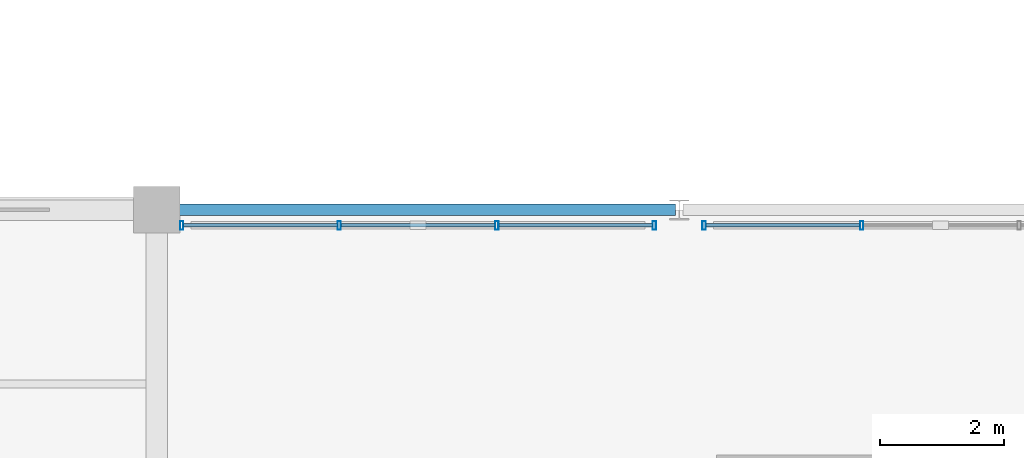
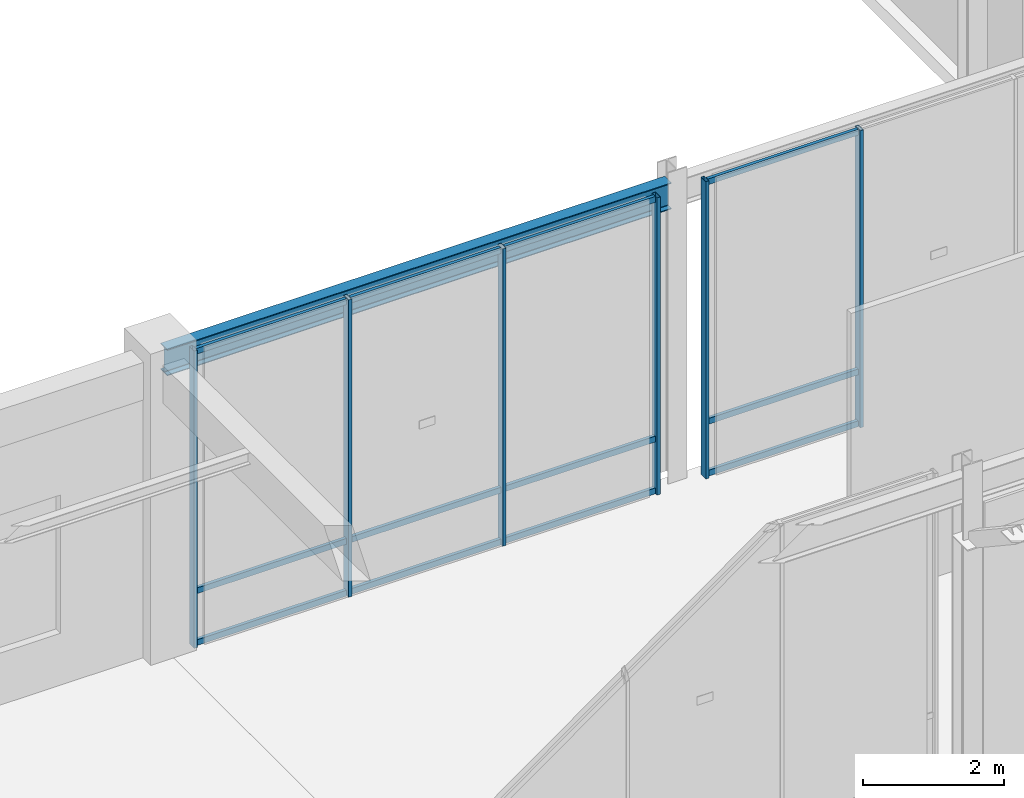
# One storey, part 26 of 157: 18 members, 1 beam, 2 elements without a shape of their own.
"""IFC4 building model written with IfcOpenShell, lengths in metres."""

from ifc_helpers import new_model, si_unit, direction, frame, origin, origin_2d, place, context, subcontext, project, spatial, hollow_rectangle, i_section, extrude, material, material_profile, profile_set, type_object, element, aggregate, save


model = new_model("IFC4")

# Units and contexts
model_context = context("Model", 3, precision=1e-05, world=origin(), true_north=direction((0.0, 1.0)))
body_context = subcontext(model_context, "Body", "Model", "MODEL_VIEW")
ifc_project = project(units=[si_unit("LENGTHUNIT", "METRE"), si_unit("AREAUNIT", "SQUARE_METRE"), si_unit("VOLUMEUNIT", "CUBIC_METRE"), si_unit("PLANEANGLEUNIT", "RADIAN"), si_unit("MASSUNIT", "GRAM", prefix="KILO"), si_unit("THERMODYNAMICTEMPERATUREUNIT", "KELVIN"), si_unit("POWERUNIT", "WATT")], contexts=[model_context])

# Site, building, storey
site_placement = place(None, origin())
site = spatial("IfcSite", under=ifc_project, at=site_placement, CompositionType="ELEMENT")
building_placement = place(site_placement, origin())
building = spatial("IfcBuilding", under=site, at=building_placement, Name="Darbajah Civic Hall", CompositionType="ELEMENT")
storey_placement = place(building_placement, origin())
storey = spatial("IfcBuildingStorey", under=building, at=storey_placement, Name="L00", CompositionType="ELEMENT", Elevation=0.0)

# Curtain wall, members
ifc_material_1 = material(Name="Anodised Bronze Aluminium and Low-E Glazing", Category="aluminium")
curtain_wall_type = type_object("IfcCurtainWallType", Name="Unitised Curtain Wall CW-101 7600x5150", PredefinedType="USERDEFINED", material=ifc_material_1)
curtain_wall_1_placement = place(storey_placement, origin())
curtain_wall_1 = element("IfcCurtainWall", 1, at=curtain_wall_1_placement, inside=storey, type_object=curtain_wall_type, Name="L00 unitised curtain wall CW-V6-SW-N-L00", ObjectType="UNITISED CURTAIN WALL", PredefinedType="USERDEFINED")
ifc_material_2 = material(Name="Anodised Bronze Aluminium", Category="aluminium")
ifc_material_profile_1 = material_profile(ifc_material_2, hollow_rectangle(XDim=0.054931640625, YDim=0.139892578125, WallThickness=0.003173828125, at=origin_2d()), Name="ALU MULLION 55x140")
ifc_profile_set_1 = profile_set([ifc_material_profile_1], Name="Anodised Bronze Aluminium")
member_type_1 = type_object("IfcMemberType", Name="ALU MULLION 55x140", PredefinedType="MULLION", material=ifc_profile_set_1)
member_1_placement = place(storey_placement, frame((67.60009765625, 41.75, 0.0), z_axis=(0.0, 0.0, 1.0), x_axis=(1.0, 0.0, 0.0)))
member_1 = element("IfcMember", 2, at=member_1_placement, type_object=member_type_1, Name="CW-V6-SW-N-L00 mullion 1", PredefinedType="MULLION", context=body_context, shape_type="SweptSolid", body=[
    extrude(hollow_rectangle(XDim=0.054931640625, YDim=0.139892578125, WallThickness=0.003173828125, at=origin_2d()), origin(), (0.0, 0.0, 1.0), 5.159912109375),
])
member_2_placement = place(storey_placement, frame((70.13330078125, 41.75, 0.0), z_axis=(0.0, 0.0, 1.0), x_axis=(1.0, 0.0, 0.0)))
member_2 = element("IfcMember", 3, at=member_2_placement, type_object=member_type_1, Name="CW-V6-SW-N-L00 mullion 2", PredefinedType="MULLION", context=body_context, shape_type="SweptSolid", body=[
    extrude(hollow_rectangle(XDim=0.054931640625, YDim=0.139892578125, WallThickness=0.003173828125, at=origin_2d()), origin(), (0.0, 0.0, 1.0), 5.159912109375),
])
member_3_placement = place(storey_placement, frame((72.666748046875, 41.75, 0.0), z_axis=(0.0, 0.0, 1.0), x_axis=(1.0, 0.0, 0.0)))
member_3 = element("IfcMember", 4, at=member_3_placement, type_object=member_type_1, Name="CW-V6-SW-N-L00 mullion 3", PredefinedType="MULLION", context=body_context, shape_type="SweptSolid", body=[
    extrude(hollow_rectangle(XDim=0.054931640625, YDim=0.139892578125, WallThickness=0.003173828125, at=origin_2d()), origin(), (0.0, 0.0, 1.0), 5.159912109375),
])
member_4_placement = place(storey_placement, frame((75.199951171875, 41.75, 0.0), z_axis=(0.0, 0.0, 1.0), x_axis=(1.0, 0.0, 0.0)))
member_4 = element("IfcMember", 5, at=member_4_placement, type_object=member_type_1, Name="CW-V6-SW-N-L00 mullion 4", PredefinedType="MULLION", context=body_context, shape_type="SweptSolid", body=[
    extrude(hollow_rectangle(XDim=0.054931640625, YDim=0.139892578125, WallThickness=0.003173828125, at=origin_2d()), origin(), (0.0, 0.0, 1.0), 5.159912109375),
])

curtain_wall_2_placement = place(storey_placement, origin())
curtain_wall_2 = element("IfcCurtainWall", 6, at=curtain_wall_2_placement, inside=storey, type_object=curtain_wall_type, Name="L00 unitised curtain wall CW-V6-SW-N2-L00", ObjectType="UNITISED CURTAIN WALL", PredefinedType="USERDEFINED")
member_5_placement = place(storey_placement, frame((76.0, 41.75, 0.0), z_axis=(0.0, 0.0, 1.0), x_axis=(1.0, 0.0, 0.0)))
member_5 = element("IfcMember", 7, at=member_5_placement, type_object=member_type_1, Name="CW-V6-SW-N2-L00 mullion 1", PredefinedType="MULLION", context=body_context, shape_type="SweptSolid", body=[
    extrude(hollow_rectangle(XDim=0.054931640625, YDim=0.139892578125, WallThickness=0.003173828125, at=origin_2d()), origin(), (0.0, 0.0, 1.0), 5.159912109375),
])
member_6_placement = place(storey_placement, frame((78.533203125, 41.75, 0.0), z_axis=(0.0, 0.0, 1.0), x_axis=(1.0, 0.0, 0.0)))
member_6 = element("IfcMember", 8, at=member_6_placement, type_object=member_type_1, Name="CW-V6-SW-N2-L00 mullion 2", PredefinedType="MULLION", context=body_context, shape_type="SweptSolid", body=[
    extrude(hollow_rectangle(XDim=0.054931640625, YDim=0.139892578125, WallThickness=0.003173828125, at=origin_2d()), origin(), (0.0, 0.0, 1.0), 5.159912109375),
])

# Member
ifc_material_profile_2 = material_profile(ifc_material_2, hollow_rectangle(XDim=0.054931640625, YDim=0.10009765625, WallThickness=0.0029296875, at=origin_2d()), Name="ALU TRANSOM 55x100")
ifc_profile_set_2 = profile_set([ifc_material_profile_2], Name="Anodised Bronze Aluminium")
member_type_2 = type_object("IfcMemberType", Name="ALU TRANSOM 55x100", PredefinedType="USERDEFINED", material=ifc_profile_set_2)
member_7_placement = place(storey_placement, frame((67.632568359375, 41.75, 0.050048828125), z_axis=(1.0, 0.0, 0.0), x_axis=(0.0, 1.0, 0.0)))
member_7 = element("IfcMember", 9, at=member_7_placement, type_object=member_type_2, Name="CW-V6-SW-N-L00 transom 1.1", ObjectType="TRANSOM", PredefinedType="USERDEFINED", context=body_context, shape_type="SweptSolid", body=[
    extrude(hollow_rectangle(XDim=0.054931640625, YDim=0.10009765625, WallThickness=0.0029296875, at=origin_2d()), origin(), (0.0, 0.0, 1.0), 2.46826171875),
])

member_8_placement = place(storey_placement, frame((67.632568359375, 41.75, 0.949951171875), z_axis=(1.0, 0.0, 0.0), x_axis=(0.0, 1.0, 0.0)))
member_8 = element("IfcMember", 10, at=member_8_placement, type_object=member_type_2, Name="CW-V6-SW-N-L00 transom 1.2", ObjectType="TRANSOM", PredefinedType="USERDEFINED", context=body_context, shape_type="SweptSolid", body=[
    extrude(hollow_rectangle(XDim=0.054931640625, YDim=0.10009765625, WallThickness=0.0029296875, at=origin_2d()), origin(), (0.0, 0.0, 1.0), 2.46826171875),
])

member_9_placement = place(storey_placement, frame((67.632568359375, 41.75, 5.110107421875), z_axis=(1.0, 0.0, 0.0), x_axis=(0.0, 1.0, 0.0)))
member_9 = element("IfcMember", 11, at=member_9_placement, type_object=member_type_2, Name="CW-V6-SW-N-L00 transom 1.3", ObjectType="TRANSOM", PredefinedType="USERDEFINED", context=body_context, shape_type="SweptSolid", body=[
    extrude(hollow_rectangle(XDim=0.054931640625, YDim=0.10009765625, WallThickness=0.0029296875, at=origin_2d()), origin(), (0.0, 0.0, 1.0), 2.46826171875),
])

member_10_placement = place(storey_placement, frame((70.165771484375, 41.75, 0.050048828125), z_axis=(1.0, 0.0, 0.0), x_axis=(0.0, 1.0, 0.0)))
member_10 = element("IfcMember", 12, at=member_10_placement, type_object=member_type_2, Name="CW-V6-SW-N-L00 transom 2.1", ObjectType="TRANSOM", PredefinedType="USERDEFINED", context=body_context, shape_type="SweptSolid", body=[
    extrude(hollow_rectangle(XDim=0.054931640625, YDim=0.10009765625, WallThickness=0.0029296875, at=origin_2d()), origin(), (0.0, 0.0, 1.0), 2.468505859375),
])

member_11_placement = place(storey_placement, frame((70.165771484375, 41.75, 0.949951171875), z_axis=(1.0, 0.0, 0.0), x_axis=(0.0, 1.0, 0.0)))
member_11 = element("IfcMember", 13, at=member_11_placement, type_object=member_type_2, Name="CW-V6-SW-N-L00 transom 2.2", ObjectType="TRANSOM", PredefinedType="USERDEFINED", context=body_context, shape_type="SweptSolid", body=[
    extrude(hollow_rectangle(XDim=0.054931640625, YDim=0.10009765625, WallThickness=0.0029296875, at=origin_2d()), origin(), (0.0, 0.0, 1.0), 2.468505859375),
])

member_12_placement = place(storey_placement, frame((70.165771484375, 41.75, 5.110107421875), z_axis=(1.0, 0.0, 0.0), x_axis=(0.0, 1.0, 0.0)))
member_12 = element("IfcMember", 14, at=member_12_placement, type_object=member_type_2, Name="CW-V6-SW-N-L00 transom 2.3", ObjectType="TRANSOM", PredefinedType="USERDEFINED", context=body_context, shape_type="SweptSolid", body=[
    extrude(hollow_rectangle(XDim=0.054931640625, YDim=0.10009765625, WallThickness=0.0029296875, at=origin_2d()), origin(), (0.0, 0.0, 1.0), 2.468505859375),
])

member_13_placement = place(storey_placement, frame((72.69921875, 41.75, 0.050048828125), z_axis=(1.0, 0.0, 0.0), x_axis=(0.0, 1.0, 0.0)))
member_13 = element("IfcMember", 15, at=member_13_placement, type_object=member_type_2, Name="CW-V6-SW-N-L00 transom 3.1", ObjectType="TRANSOM", PredefinedType="USERDEFINED", context=body_context, shape_type="SweptSolid", body=[
    extrude(hollow_rectangle(XDim=0.054931640625, YDim=0.10009765625, WallThickness=0.0029296875, at=origin_2d()), origin(), (0.0, 0.0, 1.0), 2.46826171875),
])

member_14_placement = place(storey_placement, frame((72.69921875, 41.75, 0.949951171875), z_axis=(1.0, 0.0, 0.0), x_axis=(0.0, 1.0, 0.0)))
member_14 = element("IfcMember", 16, at=member_14_placement, type_object=member_type_2, Name="CW-V6-SW-N-L00 transom 3.2", ObjectType="TRANSOM", PredefinedType="USERDEFINED", context=body_context, shape_type="SweptSolid", body=[
    extrude(hollow_rectangle(XDim=0.054931640625, YDim=0.10009765625, WallThickness=0.0029296875, at=origin_2d()), origin(), (0.0, 0.0, 1.0), 2.46826171875),
])

member_15_placement = place(storey_placement, frame((72.69921875, 41.75, 5.110107421875), z_axis=(1.0, 0.0, 0.0), x_axis=(0.0, 1.0, 0.0)))
member_15 = element("IfcMember", 17, at=member_15_placement, type_object=member_type_2, Name="CW-V6-SW-N-L00 transom 3.3", ObjectType="TRANSOM", PredefinedType="USERDEFINED", context=body_context, shape_type="SweptSolid", body=[
    extrude(hollow_rectangle(XDim=0.054931640625, YDim=0.10009765625, WallThickness=0.0029296875, at=origin_2d()), origin(), (0.0, 0.0, 1.0), 2.46826171875),
])

aggregate(curtain_wall_1, [member_1, member_2, member_3, member_4, member_7, member_8, member_9, member_10, member_11, member_12, member_13, member_14, member_15])

member_16_placement = place(storey_placement, frame((76.032470703125, 41.75, 0.050048828125), z_axis=(1.0, 0.0, 0.0), x_axis=(0.0, 1.0, 0.0)))
member_16 = element("IfcMember", 18, at=member_16_placement, type_object=member_type_2, Name="CW-V6-SW-N2-L00 transom 1.1", ObjectType="TRANSOM", PredefinedType="USERDEFINED", context=body_context, shape_type="SweptSolid", body=[
    extrude(hollow_rectangle(XDim=0.054931640625, YDim=0.10009765625, WallThickness=0.0029296875, at=origin_2d()), origin(), (0.0, 0.0, 1.0), 2.46826171875),
])

member_17_placement = place(storey_placement, frame((76.032470703125, 41.75, 0.949951171875), z_axis=(1.0, 0.0, 0.0), x_axis=(0.0, 1.0, 0.0)))
member_17 = element("IfcMember", 19, at=member_17_placement, type_object=member_type_2, Name="CW-V6-SW-N2-L00 transom 1.2", ObjectType="TRANSOM", PredefinedType="USERDEFINED", context=body_context, shape_type="SweptSolid", body=[
    extrude(hollow_rectangle(XDim=0.054931640625, YDim=0.10009765625, WallThickness=0.0029296875, at=origin_2d()), origin(), (0.0, 0.0, 1.0), 2.46826171875),
])

member_18_placement = place(storey_placement, frame((76.032470703125, 41.75, 5.110107421875), z_axis=(1.0, 0.0, 0.0), x_axis=(0.0, 1.0, 0.0)))
member_18 = element("IfcMember", 20, at=member_18_placement, type_object=member_type_2, Name="CW-V6-SW-N2-L00 transom 1.3", ObjectType="TRANSOM", PredefinedType="USERDEFINED", context=body_context, shape_type="SweptSolid", body=[
    extrude(hollow_rectangle(XDim=0.054931640625, YDim=0.10009765625, WallThickness=0.0029296875, at=origin_2d()), origin(), (0.0, 0.0, 1.0), 2.46826171875),
])

aggregate(curtain_wall_2, [member_5, member_6, member_16, member_17, member_18])

# Beam
ifc_material_3 = material(Name="Steel S355JR", Category="steel")
ifc_material_profile_3 = material_profile(ifc_material_3, i_section(OverallWidth=0.1904296875, OverallDepth=0.45703125, WebThickness=0.009033203125, FlangeThickness=0.014404296875, FilletRadius=0.01025390625, at=origin_2d()), Name="UB 457x191x74")
ifc_profile_set_3 = profile_set([ifc_material_profile_3], Name="Steel S355JR")
beam_type = type_object("IfcBeamType", Name="UB 457x191x74", PredefinedType="BEAM", material=ifc_profile_set_3)
beam_placement = place(storey_placement, frame((67.260009765625, 42.0, 4.931396484375), z_axis=(1.0, 0.0, 0.0), x_axis=(0.0, 1.0, 0.0)))
element("IfcBeam", 21, at=beam_placement, inside=storey, type_object=beam_type, Name="L00 beam SB-457", PredefinedType="BEAM", context=body_context, shape_type="SweptSolid", body=[
    extrude(i_section(OverallWidth=0.1904296875, OverallDepth=0.45703125, WebThickness=0.009033203125, FlangeThickness=0.014404296875, FilletRadius=0.01025390625, at=origin_2d()), origin(), (0.0, 0.0, 1.0), 8.280029296875),
])

save(model, "model.ifc")
